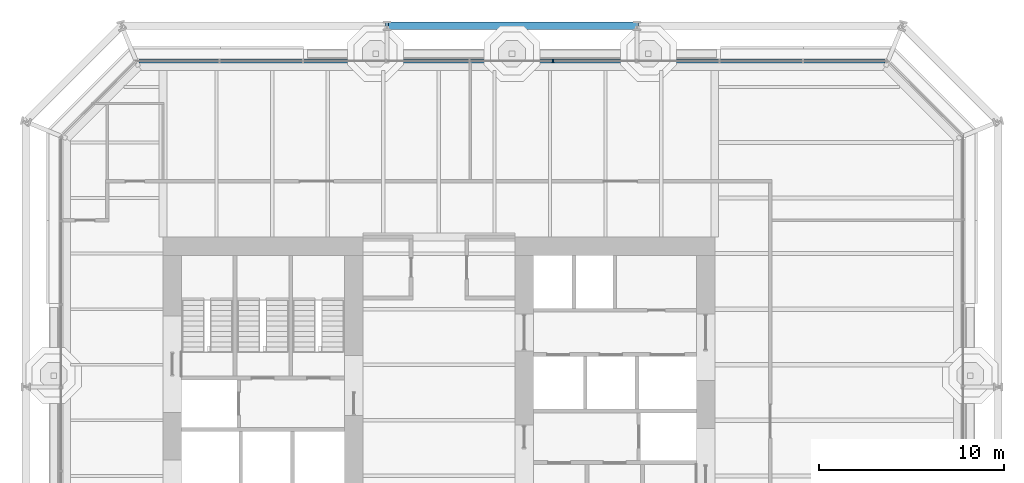
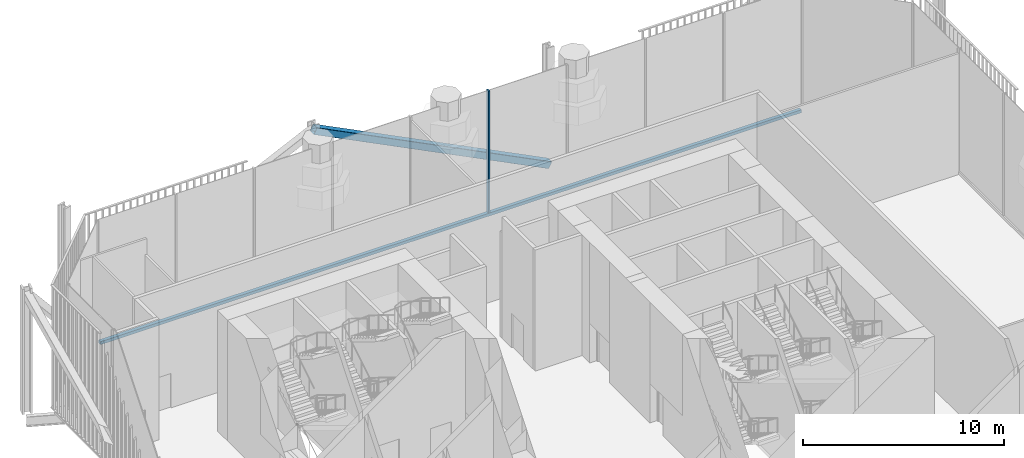
# One storey, part 9 of 18: 3 members, 1 element without a shape of its own.
"""IFC4 building model written with IfcOpenShell, lengths in metres."""

from ifc_helpers import new_model, si_unit, direction, frame, origin, origin_2d, place, context, subcontext, project, spatial, rectangle, hollow_rectangle, extrude, material, layer, layer_set, material_profile, profile_set, type_object, element, aggregate, save


model = new_model("IFC4")

# Units and contexts
model_context = context("Model", 3, precision=1e-05, world=origin(), true_north=direction((0.0, 1.0)))
body_context = subcontext(model_context, "Body", "Model", "MODEL_VIEW")
ifc_project = project(units=[si_unit("LENGTHUNIT", "METRE"), si_unit("AREAUNIT", "SQUARE_METRE"), si_unit("VOLUMEUNIT", "CUBIC_METRE"), si_unit("PLANEANGLEUNIT", "RADIAN"), si_unit("MASSUNIT", "GRAM", prefix="KILO")], contexts=[model_context])

# Site, building, storey
site_placement = place(None, origin())
site = spatial("IfcSite", under=ifc_project, at=site_placement, CompositionType="ELEMENT")
building_placement = place(site_placement, origin())
building = spatial("IfcBuilding", under=site, at=building_placement, Name="Millrace Tower", CompositionType="ELEMENT")
storey_placement = place(building_placement, frame((0.0, 0.0, 112.800048828125)))
storey = spatial("IfcBuildingStorey", under=building, at=storey_placement, Name="L25", CompositionType="ELEMENT", Elevation=112.800048828125)

# Curtain wall, members
ifc_material_1 = material(Name="Aluminium and glass", Category="aluminium")
ifc_layer = layer(ifc_material_1, 0.199951171875)
ifc_layer_set = layer_set([ifc_layer], Name="Aluminium and glass")
curtain_wall_type = type_object("IfcCurtainWallType", Name="CW-4 sky garden winter glazing", PredefinedType="NOTDEFINED", material=ifc_layer_set)
curtain_wall_placement = place(storey_placement, origin())
curtain_wall = element("IfcCurtainWall", 1, at=curtain_wall_placement, inside=storey, type_object=curtain_wall_type, Name="Curtain wall B-F06 L25", PredefinedType="NOTDEFINED")
ifc_material_2 = material(Name="Aluminium", Category="aluminium")
ifc_material_profile_1 = material_profile(ifc_material_2, rectangle(XDim=0.080078125, YDim=0.199951171875, at=origin_2d()))
ifc_profile_set_1 = profile_set([ifc_material_profile_1], Name="Aluminium")
member_type_1 = type_object("IfcMemberType", Name="CW-4 sky garden winter glazing mullion", PredefinedType="MULLION", material=ifc_profile_set_1)
member_1_placement = place(storey_placement, frame((6.159912109375, 19.39990234375, 0.179931640625), z_axis=(0.0, 0.0, 1.0), x_axis=(-1.0, 0.0, 0.0)))
member_1 = element("IfcMember", 2, at=member_1_placement, type_object=member_type_1, Name="CW4 mullion B-F06.5", PredefinedType="MULLION", context=body_context, shape_type="SweptSolid", body=[
    extrude(rectangle(XDim=0.080078125, YDim=0.199951171875, at=origin_2d()), origin(), (0.0, 0.0, 1.0), 7.419921875),
])
ifc_material_3 = material(Name="Aluminium", Category="aluminium")
ifc_material_profile_2 = material_profile(ifc_material_3, rectangle(XDim=0.199951171875, YDim=0.179931640625, at=origin_2d()))
ifc_profile_set_2 = profile_set([ifc_material_profile_2], Name="Aluminium")
member_type_2 = type_object("IfcMemberType", Name="CW-4 sky garden winter glazing transom", PredefinedType="USERDEFINED", material=ifc_profile_set_2)
member_2_placement = place(storey_placement, frame((24.10009765625, 19.39990234375, 0.08984375), z_axis=(-1.0, 0.0, 0.0), x_axis=(0.0, -1.0, 0.0)))
member_2 = element("IfcMember", 3, at=member_2_placement, type_object=member_type_2, Name="CW4 transom B-F06.1", ObjectType="TRANSOM", PredefinedType="USERDEFINED", context=body_context, shape_type="SweptSolid", body=[
    extrude(rectangle(XDim=0.199951171875, YDim=0.179931640625, at=origin_2d()), origin(), (0.0, 0.0, 1.0), 40.300048828125),
])
aggregate(curtain_wall, [member_1, member_2])

# Member
ifc_material_4 = material(Name="Steel ASTM A500 Grade C", Category="steel")
ifc_material_profile_3 = material_profile(ifc_material_4, hollow_rectangle(XDim=0.406494140625, YDim=0.406494140625, WallThickness=0.0126953125, InnerFilletRadius=0.00634765625, OuterFilletRadius=0.01904296875, at=origin_2d()))
ifc_profile_set_3 = profile_set([ifc_material_profile_3], Name="Steel ASTM A500 Grade C")
member_type_3 = type_object("IfcMemberType", Name="Exoskeleton brace HSS16x16x1/2", PredefinedType="BRACE", material=ifc_profile_set_3)
member_3_placement = place(storey_placement, frame((10.699951171875, 21.300048828125, 0.39990234375), z_axis=(-0.893098867308, 0.0, 0.449860437484), x_axis=(0.0, -1.0, 0.0)))
element("IfcMember", 4, at=member_3_placement, inside=storey, type_object=member_type_3, Name="BRC-B-L25-11", PredefinedType="BRACE", context=body_context, shape_type="SweptSolid", body=[
    extrude(hollow_rectangle(XDim=0.406494140625, YDim=0.406494140625, WallThickness=0.0126953125, InnerFilletRadius=0.00634765625, OuterFilletRadius=0.01904296875, at=origin_2d()), origin(), (0.0, 0.0, 1.0), 15.115966796875),
])

save(model, "model.ifc")
